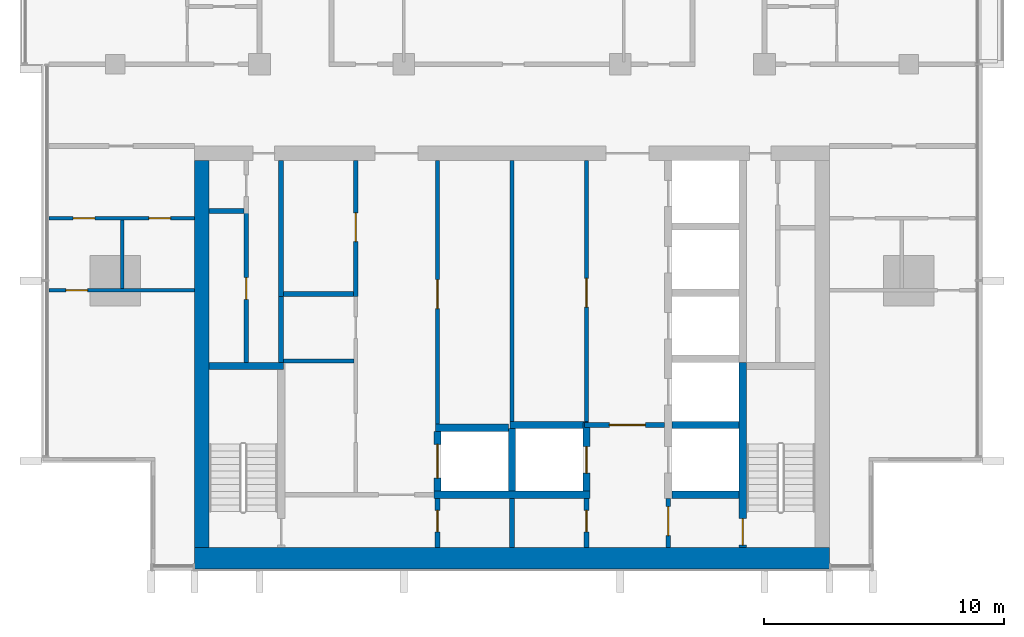
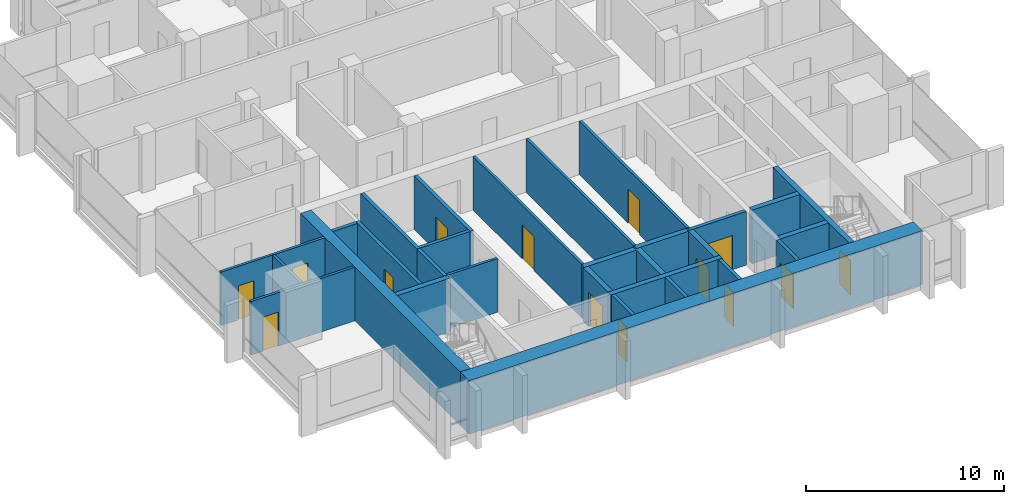
# One storey, part 7 of 15: 30 walls, 14 doors, 14 openings.
"""IFC4 building model written with IfcOpenShell, lengths in metres."""

from ifc_helpers import new_model, si_unit, direction, frame, frame_2d, origin, place, context, subcontext, project, spatial, rectangle, extrude, material, layer, layer_set, type_object, element, fill, save


model = new_model("IFC4")

# Units and contexts
model_context = context("Model", 3, precision=1e-05, world=origin(), true_north=direction((0.0, 1.0)))
body_context = subcontext(model_context, "Body", "Model", "MODEL_VIEW")
ifc_project = project(units=[si_unit("LENGTHUNIT", "METRE"), si_unit("AREAUNIT", "SQUARE_METRE"), si_unit("VOLUMEUNIT", "CUBIC_METRE"), si_unit("PLANEANGLEUNIT", "RADIAN"), si_unit("MASSUNIT", "GRAM", prefix="KILO")], contexts=[model_context])

# Site, building, storey
site_placement = place(None, origin())
site = spatial("IfcSite", under=ifc_project, at=site_placement, CompositionType="ELEMENT")
building_placement = place(site_placement, origin())
building = spatial("IfcBuilding", under=site, at=building_placement, Name="Finial Court Residences", CompositionType="ELEMENT")
storey_placement = place(building_placement, frame((0.0, 0.0, 226.699951171875)))
storey = spatial("IfcBuildingStorey", under=building, at=storey_placement, Name="L57", CompositionType="ELEMENT", Elevation=226.699951171875)

# Walls
ifc_material_1 = material(Name="Concrete C60/75", Category="concrete")
ifc_layer_1 = layer(ifc_material_1, 0.60009765625)
ifc_layer_set_1 = layer_set([ifc_layer_1], Name="Core outer wall 600 Concrete C60/75")
wall_type_1 = type_object("IfcWallType", Name="Core outer wall 600 Concrete C60/75", PredefinedType="SHEAR", material=ifc_layer_set_1)
wall_1_placement = place(storey_placement, frame((-12.89990234375, -24.60009765625, 0.0), z_axis=(0.0, 0.0, 1.0), x_axis=(0.0, 1.0, 0.0)))
element("IfcWall", 1, at=wall_1_placement, inside=storey, type_object=wall_type_1, Name="Core outer wall L57-03", PredefinedType="SHEAR", context=body_context, shape_type="SweptSolid", body=[
    extrude(rectangle(XDim=16.10009765625, YDim=0.60009765625, at=frame_2d((8.050048828125, 0.0))), origin(), (0.0, 0.0, 1.0), 3.300048828125),
])
ifc_material_2 = material(Name="Fire-rated gypsum board partition")
ifc_layer_2 = layer(ifc_material_2, 0.14990234375)
ifc_layer_set_2 = layer_set([ifc_layer_2], Name="Core room partition 150 EI 60")
wall_type_2 = type_object("IfcWallType", Name="Core room partition 150 EI 60", PredefinedType="PARTITIONING", material=ifc_layer_set_2)
wall_2_placement = place(storey_placement, frame((-9.5, -16.840087890625, 0.0), z_axis=(0.0, 0.0, 1.0), x_axis=(1.0, 0.0, 0.0)))
element("IfcWall", 2, at=wall_2_placement, inside=storey, type_object=wall_type_2, Name="Core partition L57-10", PredefinedType="PARTITIONING", context=body_context, shape_type="SweptSolid", body=[
    extrude(rectangle(XDim=2.925048828125, YDim=0.14990234375, at=frame_2d((1.46240234375, 0.0))), origin(), (0.0, 0.0, 1.0), 3.300048828125),
])

# Wall, opening, door
wall_3_placement = place(storey_placement, frame((-3.10009765625, -8.5, 0.0), z_axis=(0.0, 0.0, 1.0), x_axis=(0.0, -1.0, 0.0)))
wall_3 = element("IfcWall", 3, at=wall_3_placement, inside=storey, type_object=wall_type_2, Name="Core partition L57-26", PredefinedType="PARTITIONING", context=body_context, shape_type="SweptSolid", body=[
    extrude(rectangle(XDim=10.969970703125, YDim=0.14990234375, at=frame_2d((5.48486328125, 0.0))), origin(), (0.0, 0.0, 1.0), 3.300048828125),
])
opening_1_placement = place(wall_3_placement, frame((4.9599609375, 0.0, 0.0)))
opening_1 = element("IfcOpeningElement", 4, at=opening_1_placement, cuts=wall_3, Name="Opening L57-C17", PredefinedType="OPENING", context=body_context, shape_type="SweptSolid", body=[
    extrude(rectangle(XDim=1.199951171875, YDim=2.10009765625, at=frame_2d((0.60009765625, 1.050048828125))), frame((0.0, 0.0849609375, 0.0), z_axis=(0.0, -1.0, 0.0), x_axis=(1.0, 0.0, 0.0)), (0.0, 0.0, 1.0), 0.169921875),
])
ifc_material_3 = material(Name="Steel fire door", Category="steel")
door_type_1 = type_object("IfcDoorType", Name="Core room door 1200 x 2100 EI 60", OperationType="NOTDEFINED", PredefinedType="DOOR", material=ifc_material_3)
door_1_placement = place(opening_1_placement, origin())
door_1 = element("IfcDoor", 5, at=door_1_placement, inside=storey, type_object=door_type_1, Name="Core room door L57-C17", OperationType="SINGLE_SWING_RIGHT", OverallHeight=2.10009765625, OverallWidth=1.199951171875, PredefinedType="DOOR", context=body_context, shape_type="SweptSolid", body=[
    extrude(rectangle(XDim=1.199951171875, YDim=2.10009765625, at=frame_2d((0.60009765625, 1.050048828125))), frame((0.0, 0.02490234375, 0.0), z_axis=(0.0, -1.0, 0.0), x_axis=(1.0, 0.0, 0.0)), (0.0, 0.0, 1.0), 0.050048828125),
])
fill(opening_1, door_1)

# Wall
wall_4_placement = place(storey_placement, frame((0.0, -19.35009765625, 0.0), z_axis=(0.0, 0.0, 1.0), x_axis=(0.0, 1.0, 0.0)))
element("IfcWall", 6, at=wall_4_placement, inside=storey, type_object=wall_type_2, Name="Core partition L57-29", PredefinedType="PARTITIONING", context=body_context, shape_type="SweptSolid", body=[
    extrude(rectangle(XDim=10.85009765625, YDim=0.14990234375, at=frame_2d((5.425048828125, 0.0))), origin(), (0.0, 0.0, 1.0), 3.300048828125),
])

# Wall, opening, door
wall_5_placement = place(storey_placement, frame((3.10009765625, -19.39990234375, 0.0), z_axis=(0.0, 0.0, 1.0), x_axis=(0.0, 1.0, 0.0)))
wall_5 = element("IfcWall", 7, at=wall_5_placement, inside=storey, type_object=wall_type_2, Name="Core partition L57-32", PredefinedType="PARTITIONING", context=body_context, shape_type="SweptSolid", body=[
    extrude(rectangle(XDim=10.89990234375, YDim=0.14990234375, at=frame_2d((5.449951171875, 0.0))), origin(), (0.0, 0.0, 1.0), 3.300048828125),
])
opening_2_placement = place(wall_5_placement, frame((4.800048828125, 0.0, 0.0)))
opening_2 = element("IfcOpeningElement", 8, at=opening_2_placement, cuts=wall_5, Name="Opening L57-C18", PredefinedType="OPENING", context=body_context, shape_type="SweptSolid", body=[
    extrude(rectangle(XDim=1.199951171875, YDim=2.10009765625, at=frame_2d((0.60009765625, 1.050048828125))), frame((0.0, 0.0849609375, 0.0), z_axis=(0.0, -1.0, 0.0), x_axis=(1.0, 0.0, 0.0)), (0.0, 0.0, 1.0), 0.169921875),
])
door_2_placement = place(opening_2_placement, origin())
door_2 = element("IfcDoor", 9, at=door_2_placement, inside=storey, type_object=door_type_1, Name="Core room door L57-C18", OperationType="SINGLE_SWING_LEFT", OverallHeight=2.10009765625, OverallWidth=1.199951171875, PredefinedType="DOOR", context=body_context, shape_type="SweptSolid", body=[
    extrude(rectangle(XDim=1.199951171875, YDim=2.10009765625, at=frame_2d((0.60009765625, 1.050048828125))), frame((0.0, 0.02490234375, 0.0), z_axis=(0.0, -1.0, 0.0), x_axis=(1.0, 0.0, 0.0)), (0.0, 0.0, 1.0), 0.050048828125),
])
fill(opening_2, door_2)

# Wall
ifc_layer_3 = layer(ifc_material_1, 0.89990234375)
ifc_layer_set_3 = layer_set([ifc_layer_3], Name="Core south facade wall 900 Concrete C60/75")
wall_type_3 = type_object("IfcWallType", Name="Core south facade wall 900 Concrete C60/75", PredefinedType="SHEAR", material=ifc_layer_set_3)
wall_6_placement = place(storey_placement, frame((-13.199951171875, -25.050048828125, 0.0), z_axis=(0.0, 0.0, 1.0), x_axis=(1.0, 0.0, 0.0)))
element("IfcWall", 10, at=wall_6_placement, inside=storey, type_object=wall_type_3, Name="Core outer wall L57-01", PredefinedType="SHEAR", context=body_context, shape_type="SweptSolid", body=[
    extrude(rectangle(XDim=26.39990234375, YDim=0.89990234375, at=frame_2d((13.199951171875, 0.0))), origin(), (0.0, 0.0, 1.0), 3.300048828125),
])

# Wall, opening, door
ifc_layer_4 = layer(ifc_material_2, 0.199951171875)
ifc_layer_set_4 = layer_set([ifc_layer_4], Name="Firefighting lobby wall 200 EI 120")
wall_type_4 = type_object("IfcWallType", Name="Firefighting lobby wall 200 EI 120", PredefinedType="PARTITIONING", material=ifc_layer_set_4)
wall_7_placement = place(storey_placement, frame((6.35009765625, -19.5, 0.0), z_axis=(0.0, 0.0, 1.0), x_axis=(-1.0, 0.0, 0.0)))
wall_7 = element("IfcWall", 11, at=wall_7_placement, inside=storey, type_object=wall_type_4, Name="Core partition L57-06", PredefinedType="PARTITIONING", context=body_context, shape_type="SweptSolid", body=[
    extrude(rectangle(XDim=3.3251953125, YDim=0.199951171875, at=frame_2d((1.66259765625, 0.0))), origin(), (0.0, 0.0, 1.0), 3.300048828125),
])
opening_3_placement = place(wall_7_placement, frame((0.800048828125, 0.0, 0.0)))
opening_3 = element("IfcOpeningElement", 12, at=opening_3_placement, cuts=wall_7, Name="Opening L57-C02", PredefinedType="OPENING", context=body_context, shape_type="SweptSolid", body=[
    extrude(rectangle(XDim=1.5, YDim=2.10009765625, at=frame_2d((0.75, 1.050048828125))), frame((0.0, 0.10986328125, 0.0), z_axis=(0.0, -1.0, 0.0), x_axis=(1.0, 0.0, 0.0)), (0.0, 0.0, 1.0), 0.219970703125),
])
door_type_2 = type_object("IfcDoorType", Name="Firefighting lobby door 1500 x 2100 EI 90", OperationType="DOUBLE_DOOR_SINGLE_SWING", PredefinedType="DOOR", material=ifc_material_3)
door_3_placement = place(opening_3_placement, origin())
door_3 = element("IfcDoor", 13, at=door_3_placement, inside=storey, type_object=door_type_2, Name="Firefighting lobby door L57-C02", OperationType="DOUBLE_DOOR_SINGLE_SWING", OverallHeight=2.10009765625, OverallWidth=1.5, PredefinedType="DOOR", context=body_context, shape_type="SweptSolid", body=[
    extrude(rectangle(XDim=1.5, YDim=2.10009765625, at=frame_2d((0.75, 1.050048828125))), frame((0.0, 0.02490234375, 0.0), z_axis=(0.0, -1.0, 0.0), x_axis=(1.0, 0.0, 0.0)), (0.0, 0.0, 1.0), 0.050048828125),
])
fill(opening_3, door_3)

wall_8_placement = place(storey_placement, frame((3.10009765625, -24.60009765625, 0.0), z_axis=(0.0, 0.0, 1.0), x_axis=(0.0, 1.0, 0.0)))
wall_8 = element("IfcWall", 14, at=wall_8_placement, inside=storey, type_object=wall_type_4, Name="Core partition L57-30", PredefinedType="PARTITIONING", context=body_context, shape_type="SweptSolid", body=[
    extrude(rectangle(XDim=2.050048828125, YDim=0.199951171875, at=frame_2d((1.02490234375, 0.0))), origin(), (0.0, 0.0, 1.0), 3.300048828125),
])
opening_4_placement = place(wall_8_placement, frame((0.64990234375, 0.0, 0.0)))
opening_4 = element("IfcOpeningElement", 15, at=opening_4_placement, cuts=wall_8, Name="Opening L57-C06", PredefinedType="OPENING", context=body_context, shape_type="SweptSolid", body=[
    extrude(rectangle(XDim=0.89990234375, YDim=2.10009765625, at=frame_2d((0.449951171875, 1.050048828125))), frame((0.0, 0.10986328125, 0.0), z_axis=(0.0, -1.0, 0.0), x_axis=(1.0, 0.0, 0.0)), (0.0, 0.0, 1.0), 0.219970703125),
])
door_type_3 = type_object("IfcDoorType", Name="Riser room door 900 x 2100 EI 90", OperationType="NOTDEFINED", PredefinedType="DOOR", material=ifc_material_3)
door_4_placement = place(opening_4_placement, origin())
door_4 = element("IfcDoor", 16, at=door_4_placement, inside=storey, type_object=door_type_3, Name="Riser room door L57-C06", OperationType="SINGLE_SWING_LEFT", OverallHeight=2.10009765625, OverallWidth=0.89990234375, PredefinedType="DOOR", context=body_context, shape_type="SweptSolid", body=[
    extrude(rectangle(XDim=0.89990234375, YDim=2.10009765625, at=frame_2d((0.449951171875, 1.050048828125))), frame((0.0, 0.02490234375, 0.0), z_axis=(0.0, -1.0, 0.0), x_axis=(1.0, 0.0, 0.0)), (0.0, 0.0, 1.0), 0.050048828125),
])
fill(opening_4, door_4)

wall_9_placement = place(storey_placement, frame((6.5, -22.550048828125, 0.0), z_axis=(0.0, 0.0, 1.0), x_axis=(0.0, -1.0, 0.0)))
wall_9 = element("IfcWall", 17, at=wall_9_placement, inside=storey, type_object=wall_type_4, Name="Core partition L57-33", PredefinedType="PARTITIONING", context=body_context, shape_type="SweptSolid", body=[
    extrude(rectangle(XDim=2.050048828125, YDim=0.199951171875, at=frame_2d((1.02490234375, 0.0))), origin(), (0.0, 0.0, 1.0), 3.300048828125),
])
opening_5_placement = place(wall_9_placement, frame((0.35009765625, 0.0, 0.0)))
opening_5 = element("IfcOpeningElement", 18, at=opening_5_placement, cuts=wall_9, Name="Opening L57-C01", PredefinedType="OPENING", context=body_context, shape_type="SweptSolid", body=[
    extrude(rectangle(XDim=1.199951171875, YDim=2.10009765625, at=frame_2d((0.60009765625, 1.050048828125))), frame((0.0, 0.10986328125, 0.0), z_axis=(0.0, -1.0, 0.0), x_axis=(1.0, 0.0, 0.0)), (0.0, 0.0, 1.0), 0.219970703125),
])
door_type_4 = type_object("IfcDoorType", Name="Firefighting lobby door 1200 x 2100 EI 90", OperationType="NOTDEFINED", PredefinedType="DOOR", material=ifc_material_3)
door_5_placement = place(opening_5_placement, origin())
door_5 = element("IfcDoor", 19, at=door_5_placement, inside=storey, type_object=door_type_4, Name="Firefighting lobby door L57-C01", OperationType="SINGLE_SWING_RIGHT", OverallHeight=2.10009765625, OverallWidth=1.199951171875, PredefinedType="DOOR", context=body_context, shape_type="SweptSolid", body=[
    extrude(rectangle(XDim=1.199951171875, YDim=2.10009765625, at=frame_2d((0.60009765625, 1.050048828125))), frame((0.0, 0.02490234375, 0.0), z_axis=(0.0, -1.0, 0.0), x_axis=(1.0, 0.0, 0.0)), (0.0, 0.0, 1.0), 0.050048828125),
])
fill(opening_5, door_5)

ifc_material_4 = material(Name="Moisture-resistant gypsum board")
ifc_layer_5 = layer(ifc_material_4, 0.012451171875)
ifc_material_5 = material(Name="Mineral wool in light-gauge frame")
ifc_layer_6 = layer(ifc_material_5, 0.125)
ifc_layer_7 = layer(ifc_material_4, 0.012451171875)
ifc_layer_set_5 = layer_set([ifc_layer_5, ifc_layer_6, ifc_layer_7], Name="Gypsum board wet-area partition 150")
wall_type_5 = type_object("IfcWallType", Name="Gypsum board wet-area partition 150", PredefinedType="PARTITIONING", material=ifc_layer_set_5)
wall_10_placement = place(storey_placement, frame((-19.262451171875, -13.89990234375, 0.0), z_axis=(0.0, 0.0, 1.0), x_axis=(1.0, 0.0, 0.0)))
wall_10 = element("IfcWall", 20, at=wall_10_placement, inside=storey, type_object=wall_type_5, Name="Partition L57-000", PredefinedType="PARTITIONING", context=body_context, shape_type="SweptSolid", body=[
    extrude(rectangle(XDim=6.0625, YDim=0.14990234375, at=frame_2d((3.03125, 0.0))), origin(), (0.0, 0.0, 1.0), 3.300048828125),
])
opening_6_placement = place(wall_10_placement, frame((0.7119140625, 0.0, 0.0)))
opening_6 = element("IfcOpeningElement", 21, at=opening_6_placement, cuts=wall_10, Name="Opening L57-D001", PredefinedType="OPENING", context=body_context, shape_type="SweptSolid", body=[
    extrude(rectangle(XDim=0.89990234375, YDim=2.10009765625, at=frame_2d((0.449951171875, 1.050048828125))), frame((0.0, 0.0849609375, 0.0), z_axis=(0.0, -1.0, 0.0), x_axis=(1.0, 0.0, 0.0)), (0.0, 0.0, 1.0), 0.169921875),
])
ifc_material_6 = material(Name="Timber door leaf in timber frame", Category="wood")
door_type_5 = type_object("IfcDoorType", Name="Door set 900 x 2100", OperationType="SINGLE_SWING_LEFT", PredefinedType="DOOR", material=ifc_material_6)
door_6_placement = place(opening_6_placement, origin())
door_6 = element("IfcDoor", 22, at=door_6_placement, inside=storey, type_object=door_type_5, Name="Door L57-D001", OperationType="SINGLE_SWING_LEFT", OverallHeight=2.10009765625, OverallWidth=0.89990234375, PredefinedType="DOOR", context=body_context, shape_type="SweptSolid", body=[
    extrude(rectangle(XDim=0.89990234375, YDim=2.10009765625, at=frame_2d((0.449951171875, 1.050048828125))), frame((0.0, 0.02490234375, 0.0), z_axis=(0.0, -1.0, 0.0), x_axis=(1.0, 0.0, 0.0)), (0.0, 0.0, 1.0), 0.050048828125),
])
fill(opening_6, door_6)

# Wall, openings, doors
wall_11_placement = place(storey_placement, frame((-19.262451171875, -10.89990234375, 0.0), z_axis=(0.0, 0.0, 1.0), x_axis=(1.0, 0.0, 0.0)))
wall_11 = element("IfcWall", 23, at=wall_11_placement, inside=storey, type_object=wall_type_5, Name="Partition L57-002", PredefinedType="PARTITIONING", context=body_context, shape_type="SweptSolid", body=[
    extrude(rectangle(XDim=6.0625, YDim=0.14990234375, at=frame_2d((3.03125, 0.0))), origin(), (0.0, 0.0, 1.0), 3.300048828125),
])
opening_7_placement = place(wall_11_placement, frame((1.011962890625, 0.0, 0.0)))
opening_7 = element("IfcOpeningElement", 24, at=opening_7_placement, cuts=wall_11, Name="Opening L57-D003", PredefinedType="OPENING", context=body_context, shape_type="SweptSolid", body=[
    extrude(rectangle(XDim=0.89990234375, YDim=2.10009765625, at=frame_2d((0.449951171875, 1.050048828125))), frame((0.0, 0.0849609375, 0.0), z_axis=(0.0, -1.0, 0.0), x_axis=(1.0, 0.0, 0.0)), (0.0, 0.0, 1.0), 0.169921875),
])
opening_8_placement = place(wall_11_placement, frame((4.162109375, 0.0, 0.0)))
opening_8 = element("IfcOpeningElement", 25, at=opening_8_placement, cuts=wall_11, Name="Opening L57-D004", PredefinedType="OPENING", context=body_context, shape_type="SweptSolid", body=[
    extrude(rectangle(XDim=0.89990234375, YDim=2.10009765625, at=frame_2d((0.449951171875, 1.050048828125))), frame((0.0, 0.0849609375, 0.0), z_axis=(0.0, -1.0, 0.0), x_axis=(1.0, 0.0, 0.0)), (0.0, 0.0, 1.0), 0.169921875),
])
door_7_placement = place(opening_7_placement, origin())
door_7 = element("IfcDoor", 26, at=door_7_placement, inside=storey, type_object=door_type_5, Name="Door L57-D003", OperationType="SINGLE_SWING_LEFT", OverallHeight=2.10009765625, OverallWidth=0.89990234375, PredefinedType="DOOR", context=body_context, shape_type="SweptSolid", body=[
    extrude(rectangle(XDim=0.89990234375, YDim=2.10009765625, at=frame_2d((0.449951171875, 1.050048828125))), frame((0.0, 0.02490234375, 0.0), z_axis=(0.0, -1.0, 0.0), x_axis=(1.0, 0.0, 0.0)), (0.0, 0.0, 1.0), 0.050048828125),
])
fill(opening_7, door_7)
door_8_placement = place(opening_8_placement, origin())
door_8 = element("IfcDoor", 27, at=door_8_placement, inside=storey, type_object=door_type_5, Name="Door L57-D004", OperationType="SINGLE_SWING_RIGHT", OverallHeight=2.10009765625, OverallWidth=0.89990234375, PredefinedType="DOOR", context=body_context, shape_type="SweptSolid", body=[
    extrude(rectangle(XDim=0.89990234375, YDim=2.10009765625, at=frame_2d((0.449951171875, 1.050048828125))), frame((0.0, 0.02490234375, 0.0), z_axis=(0.0, -1.0, 0.0), x_axis=(1.0, 0.0, 0.0)), (0.0, 0.0, 1.0), 0.050048828125),
])
fill(opening_8, door_8)

# Walls
wall_12_placement = place(storey_placement, frame((-16.199951171875, -13.824951171875, 0.0), z_axis=(0.0, 0.0, 1.0), x_axis=(0.0, 1.0, 0.0)))
element("IfcWall", 28, at=wall_12_placement, inside=storey, type_object=wall_type_5, Name="Partition L57-023", PredefinedType="PARTITIONING", context=body_context, shape_type="SweptSolid", body=[
    extrude(rectangle(XDim=2.849853515625, YDim=0.14990234375, at=frame_2d((1.4248046875, 0.0))), origin(), (0.0, 0.0, 1.0), 3.300048828125),
])
ifc_layer_8 = layer(ifc_material_1, 0.300048828125)
ifc_layer_set_6 = layer_set([ifc_layer_8], Name="Lift shaft and stair wall 300 Concrete C60/75")
wall_type_6 = type_object("IfcWallType", Name="Lift shaft and stair wall 300 Concrete C60/75", PredefinedType="SHEAR", material=ifc_layer_set_6)
wall_13_placement = place(storey_placement, frame((-3.25, -22.39990234375, 0.0), z_axis=(0.0, 0.0, 1.0), x_axis=(1.0, 0.0, 0.0)))
element("IfcWall", 29, at=wall_13_placement, inside=storey, type_object=wall_type_6, Name="Core wall L57-02", PredefinedType="SHEAR", context=body_context, shape_type="SweptSolid", body=[
    extrude(rectangle(XDim=6.5, YDim=0.300048828125, at=frame_2d((3.25, 0.0))), origin(), (0.0, 0.0, 1.0), 3.300048828125),
])
wall_14_placement = place(storey_placement, frame((6.64990234375, -22.39990234375, 0.0), z_axis=(0.0, 0.0, 1.0), x_axis=(1.0, 0.0, 0.0)))
element("IfcWall", 30, at=wall_14_placement, inside=storey, type_object=wall_type_6, Name="Core wall L57-03", PredefinedType="SHEAR", context=body_context, shape_type="SweptSolid", body=[
    extrude(rectangle(XDim=2.800048828125, YDim=0.300048828125, at=frame_2d((1.39990234375, 0.0))), origin(), (0.0, 0.0, 1.0), 3.300048828125),
])
wall_15_placement = place(storey_placement, frame((-3.175048828125, -19.6201171875, 0.0), z_axis=(0.0, 0.0, 1.0), x_axis=(1.0, 0.0, 0.0)))
element("IfcWall", 31, at=wall_15_placement, inside=storey, type_object=wall_type_6, Name="Core wall L57-04", PredefinedType="SHEAR", context=body_context, shape_type="SweptSolid", body=[
    extrude(rectangle(XDim=3.025146484375, YDim=0.300048828125, at=frame_2d((1.5126953125, 0.0))), origin(), (0.0, 0.0, 1.0), 3.300048828125),
])
wall_16_placement = place(storey_placement, frame((-0.074951171875, -19.5, 0.0), z_axis=(0.0, 0.0, 1.0), x_axis=(1.0, 0.0, 0.0)))
element("IfcWall", 32, at=wall_16_placement, inside=storey, type_object=wall_type_6, Name="Core wall L57-05", PredefinedType="SHEAR", context=body_context, shape_type="SweptSolid", body=[
    extrude(rectangle(XDim=3.25, YDim=0.300048828125, at=frame_2d((1.625, 0.0))), origin(), (0.0, 0.0, 1.0), 3.300048828125),
])
wall_17_placement = place(storey_placement, frame((6.64990234375, -19.5, 0.0), z_axis=(0.0, 0.0, 1.0), x_axis=(1.0, 0.0, 0.0)))
element("IfcWall", 33, at=wall_17_placement, inside=storey, type_object=wall_type_6, Name="Core wall L57-07", PredefinedType="SHEAR", context=body_context, shape_type="SweptSolid", body=[
    extrude(rectangle(XDim=2.800048828125, YDim=0.300048828125, at=frame_2d((1.39990234375, 0.0))), origin(), (0.0, 0.0, 1.0), 3.300048828125),
])
wall_18_placement = place(storey_placement, frame((-12.60009765625, -17.050048828125, 0.0), z_axis=(0.0, 0.0, 1.0), x_axis=(1.0, 0.0, 0.0)))
element("IfcWall", 34, at=wall_18_placement, inside=storey, type_object=wall_type_6, Name="Core wall L57-08", PredefinedType="SHEAR", context=body_context, shape_type="SweptSolid", body=[
    extrude(rectangle(XDim=3.10009765625, YDim=0.300048828125, at=frame_2d((1.550048828125, 0.0))), origin(), (0.0, 0.0, 1.0), 3.300048828125),
])

# Wall, opening, door
wall_19_placement = place(storey_placement, frame((-3.10009765625, -22.25, 0.0), z_axis=(0.0, 0.0, 1.0), x_axis=(0.0, 1.0, 0.0)))
wall_19 = element("IfcWall", 35, at=wall_19_placement, inside=storey, type_object=wall_type_6, Name="Core wall L57-25", PredefinedType="SHEAR", context=body_context, shape_type="SweptSolid", body=[
    extrude(rectangle(XDim=2.47998046875, YDim=0.300048828125, at=frame_2d((1.239990234375, 0.0))), origin(), (0.0, 0.0, 1.0), 3.300048828125),
])
opening_9_placement = place(wall_19_placement, frame((0.5400390625, 0.0, 0.0)))
opening_9 = element("IfcOpeningElement", 36, at=opening_9_placement, cuts=wall_19, Name="Opening L57-LD07", PredefinedType="OPENING", context=body_context, shape_type="SweptSolid", body=[
    extrude(rectangle(XDim=1.39990234375, YDim=2.10009765625, at=frame_2d((0.699951171875, 1.050048828125))), frame((0.0, 0.159912109375, 0.0), z_axis=(0.0, -1.0, 0.0), x_axis=(1.0, 0.0, 0.0)), (0.0, 0.0, 1.0), 0.320068359375),
])
ifc_material_7 = material(Name="Stainless steel lift door", Category="steel")
door_type_6 = type_object("IfcDoorType", Name="Lift landing door 1400 x 2100 EI 90", OperationType="DOUBLE_DOOR_SLIDING", PredefinedType="DOOR", material=ifc_material_7)
door_9_placement = place(opening_9_placement, origin())
door_9 = element("IfcDoor", 37, at=door_9_placement, inside=storey, type_object=door_type_6, Name="Lift landing door SV1 L57", OperationType="DOUBLE_DOOR_SLIDING", OverallHeight=2.10009765625, OverallWidth=1.39990234375, PredefinedType="DOOR", context=body_context, shape_type="SweptSolid", body=[
    extrude(rectangle(XDim=1.39990234375, YDim=2.10009765625, at=frame_2d((0.699951171875, 1.050048828125))), frame((0.0, 0.02490234375, 0.0), z_axis=(0.0, -1.0, 0.0), x_axis=(1.0, 0.0, 0.0)), (0.0, 0.0, 1.0), 0.050048828125),
])
fill(opening_9, door_9)

# Wall
wall_20_placement = place(storey_placement, frame((0.0, -22.25, 0.0), z_axis=(0.0, 0.0, 1.0), x_axis=(0.0, 1.0, 0.0)))
element("IfcWall", 38, at=wall_20_placement, inside=storey, type_object=wall_type_6, Name="Core wall L57-28", PredefinedType="SHEAR", context=body_context, shape_type="SweptSolid", body=[
    extrude(rectangle(XDim=2.60009765625, YDim=0.300048828125, at=frame_2d((1.300048828125, 0.0))), origin(), (0.0, 0.0, 1.0), 3.300048828125),
])

# Wall, opening, door
wall_21_placement = place(storey_placement, frame((3.10009765625, -22.25, 0.0), z_axis=(0.0, 0.0, 1.0), x_axis=(0.0, 1.0, 0.0)))
wall_21 = element("IfcWall", 39, at=wall_21_placement, inside=storey, type_object=wall_type_6, Name="Core wall L57-31", PredefinedType="SHEAR", context=body_context, shape_type="SweptSolid", body=[
    extrude(rectangle(XDim=2.85009765625, YDim=0.300048828125, at=frame_2d((1.425048828125, 0.0))), origin(), (0.0, 0.0, 1.0), 3.300048828125),
])
opening_10_placement = place(wall_21_placement, frame((0.75, 0.0, 0.0)))
opening_10 = element("IfcOpeningElement", 40, at=opening_10_placement, cuts=wall_21, Name="Opening L57-LD01", PredefinedType="OPENING", context=body_context, shape_type="SweptSolid", body=[
    extrude(rectangle(XDim=1.10009765625, YDim=2.10009765625, at=frame_2d((0.550048828125, 1.050048828125))), frame((0.0, 0.159912109375, 0.0), z_axis=(0.0, -1.0, 0.0), x_axis=(1.0, 0.0, 0.0)), (0.0, 0.0, 1.0), 0.320068359375),
])
door_type_7 = type_object("IfcDoorType", Name="Lift landing door 1100 x 2100 EI 90", OperationType="DOUBLE_DOOR_SLIDING", PredefinedType="DOOR", material=ifc_material_7)
door_10_placement = place(opening_10_placement, origin())
door_10 = element("IfcDoor", 41, at=door_10_placement, inside=storey, type_object=door_type_7, Name="Lift landing door FF1 L57", OperationType="DOUBLE_DOOR_SLIDING", OverallHeight=2.10009765625, OverallWidth=1.10009765625, PredefinedType="DOOR", context=body_context, shape_type="SweptSolid", body=[
    extrude(rectangle(XDim=1.10009765625, YDim=2.10009765625, at=frame_2d((0.550048828125, 1.050048828125))), frame((0.0, 0.02490234375, 0.0), z_axis=(0.0, -1.0, 0.0), x_axis=(1.0, 0.0, 0.0)), (0.0, 0.0, 1.0), 0.050048828125),
])
fill(opening_10, door_10)

wall_22_placement = place(storey_placement, frame((9.60009765625, -16.89990234375, 0.0), z_axis=(0.0, 0.0, 1.0), x_axis=(0.0, -1.0, 0.0)))
wall_22 = element("IfcWall", 42, at=wall_22_placement, inside=storey, type_object=wall_type_6, Name="Core wall L57-35", PredefinedType="SHEAR", context=body_context, shape_type="SweptSolid", body=[
    extrude(rectangle(XDim=7.7001953125, YDim=0.300048828125, at=frame_2d((3.85009765625, 0.0))), origin(), (0.0, 0.0, 1.0), 3.300048828125),
])
opening_11_placement = place(wall_22_placement, frame((6.5, 0.0, 0.0)))
opening_11 = element("IfcOpeningElement", 43, at=opening_11_placement, cuts=wall_22, Name="Opening L57-C20", PredefinedType="OPENING", context=body_context, shape_type="SweptSolid", body=[
    extrude(rectangle(XDim=1.10009765625, YDim=2.10009765625, at=frame_2d((0.550048828125, 1.050048828125))), frame((0.0, 0.159912109375, 0.0), z_axis=(0.0, -1.0, 0.0), x_axis=(1.0, 0.0, 0.0)), (0.0, 0.0, 1.0), 0.320068359375),
])
door_type_8 = type_object("IfcDoorType", Name="Stair door 1100 x 2100 EI 90", OperationType="NOTDEFINED", PredefinedType="DOOR", material=ifc_material_3)
door_11_placement = place(opening_11_placement, origin())
door_11 = element("IfcDoor", 44, at=door_11_placement, inside=storey, type_object=door_type_8, Name="Stair door L57-C20", OperationType="SINGLE_SWING_RIGHT", OverallHeight=2.10009765625, OverallWidth=1.10009765625, PredefinedType="DOOR", context=body_context, shape_type="SweptSolid", body=[
    extrude(rectangle(XDim=1.10009765625, YDim=2.10009765625, at=frame_2d((0.550048828125, 1.050048828125))), frame((0.0, 0.02490234375, 0.0), z_axis=(0.0, -1.0, 0.0), x_axis=(1.0, 0.0, 0.0)), (0.0, 0.0, 1.0), 0.050048828125),
])
fill(opening_11, door_11)

# Walls
ifc_layer_9 = layer(ifc_material_2, 0.199951171875)
ifc_layer_set_7 = layer_set([ifc_layer_9], Name="Riser room wall 200 EI 120")
wall_type_7 = type_object("IfcWallType", Name="Riser room wall 200 EI 120", PredefinedType="PARTITIONING", material=ifc_layer_set_7)
wall_23_placement = place(storey_placement, frame((-9.5, -14.06005859375, 0.0), z_axis=(0.0, 0.0, 1.0), x_axis=(1.0, 0.0, 0.0)))
element("IfcWall", 45, at=wall_23_placement, inside=storey, type_object=wall_type_7, Name="Core partition L57-12", PredefinedType="PARTITIONING", context=body_context, shape_type="SweptSolid", body=[
    extrude(rectangle(XDim=2.89990234375, YDim=0.199951171875, at=frame_2d((1.449951171875, 0.0))), origin(), (0.0, 0.0, 1.0), 3.300048828125),
])
wall_24_placement = place(storey_placement, frame((-12.60009765625, -10.60009765625, 0.0), z_axis=(0.0, 0.0, 1.0), x_axis=(1.0, 0.0, 0.0)))
element("IfcWall", 46, at=wall_24_placement, inside=storey, type_object=wall_type_7, Name="Core partition L57-16", PredefinedType="PARTITIONING", context=body_context, shape_type="SweptSolid", body=[
    extrude(rectangle(XDim=1.4501953125, YDim=0.199951171875, at=frame_2d((0.72509765625, 0.0))), origin(), (0.0, 0.0, 1.0), 3.300048828125),
])
wall_25_placement = place(storey_placement, frame((-9.60009765625, -14.159912109375, 0.0), z_axis=(0.0, 0.0, 1.0), x_axis=(0.0, 1.0, 0.0)))
element("IfcWall", 47, at=wall_25_placement, inside=storey, type_object=wall_type_7, Name="Core partition L57-21", PredefinedType="PARTITIONING", context=body_context, shape_type="SweptSolid", body=[
    extrude(rectangle(XDim=5.659912109375, YDim=0.199951171875, at=frame_2d((2.830078125, 0.0))), origin(), (0.0, 0.0, 1.0), 3.300048828125),
])

# Wall, opening, door
wall_26_placement = place(storey_placement, frame((-6.5, -14.159912109375, 0.0), z_axis=(0.0, 0.0, 1.0), x_axis=(0.0, 1.0, 0.0)))
wall_26 = element("IfcWall", 48, at=wall_26_placement, inside=storey, type_object=wall_type_7, Name="Core partition L57-23", PredefinedType="PARTITIONING", context=body_context, shape_type="SweptSolid", body=[
    extrude(rectangle(XDim=5.659912109375, YDim=0.199951171875, at=frame_2d((2.830078125, 0.0))), origin(), (0.0, 0.0, 1.0), 3.300048828125),
])
opening_12_placement = place(wall_26_placement, frame((2.280029296875, 0.0, 0.0)))
opening_12 = element("IfcOpeningElement", 49, at=opening_12_placement, cuts=wall_26, Name="Opening L57-C09", PredefinedType="OPENING", context=body_context, shape_type="SweptSolid", body=[
    extrude(rectangle(XDim=1.199951171875, YDim=2.10009765625, at=frame_2d((0.60009765625, 1.050048828125))), frame((0.0, 0.10986328125, 0.0), z_axis=(0.0, -1.0, 0.0), x_axis=(1.0, 0.0, 0.0)), (0.0, 0.0, 1.0), 0.219970703125),
])
door_type_9 = type_object("IfcDoorType", Name="Riser room door 1200 x 2100 EI 90", OperationType="NOTDEFINED", PredefinedType="DOOR", material=ifc_material_3)
door_12_placement = place(opening_12_placement, origin())
door_12 = element("IfcDoor", 50, at=door_12_placement, inside=storey, type_object=door_type_9, Name="Riser room door L57-C09", OperationType="SINGLE_SWING_RIGHT", OverallHeight=2.10009765625, OverallWidth=1.199951171875, PredefinedType="DOOR", context=body_context, shape_type="SweptSolid", body=[
    extrude(rectangle(XDim=1.199951171875, YDim=2.10009765625, at=frame_2d((0.60009765625, 1.050048828125))), frame((0.0, 0.02490234375, 0.0), z_axis=(0.0, -1.0, 0.0), x_axis=(1.0, 0.0, 0.0)), (0.0, 0.0, 1.0), 0.050048828125),
])
fill(opening_12, door_12)

# Wall
wall_27_placement = place(storey_placement, frame((0.0, -24.60009765625, 0.0), z_axis=(0.0, 0.0, 1.0), x_axis=(0.0, 1.0, 0.0)))
element("IfcWall", 51, at=wall_27_placement, inside=storey, type_object=wall_type_7, Name="Core partition L57-27", PredefinedType="PARTITIONING", context=body_context, shape_type="SweptSolid", body=[
    extrude(rectangle(XDim=2.050048828125, YDim=0.199951171875, at=frame_2d((1.02490234375, 0.0))), origin(), (0.0, 0.0, 1.0), 3.300048828125),
])

# Wall, opening, door
ifc_layer_10 = layer(ifc_material_2, 0.199951171875)
ifc_layer_set_8 = layer_set([ifc_layer_10], Name="Stair passage wall 200 EI 180")
wall_type_8 = type_object("IfcWallType", Name="Stair passage wall 200 EI 180", PredefinedType="PARTITIONING", material=ifc_layer_set_8)
wall_28_placement = place(storey_placement, frame((-11.050048828125, -16.89990234375, 0.0), z_axis=(0.0, 0.0, 1.0), x_axis=(0.0, 1.0, 0.0)))
wall_28 = element("IfcWall", 52, at=wall_28_placement, inside=storey, type_object=wall_type_8, Name="Core partition L57-17", PredefinedType="PARTITIONING", context=body_context, shape_type="SweptSolid", body=[
    extrude(rectangle(XDim=6.39990234375, YDim=0.199951171875, at=frame_2d((3.199951171875, 0.0))), origin(), (0.0, 0.0, 1.0), 3.300048828125),
])
opening_13_placement = place(wall_28_placement, frame((2.625, 0.0, 0.0)))
opening_13 = element("IfcOpeningElement", 53, at=opening_13_placement, cuts=wall_28, Name="Opening L57-C13", PredefinedType="OPENING", context=body_context, shape_type="SweptSolid", body=[
    extrude(rectangle(XDim=0.89990234375, YDim=2.10009765625, at=frame_2d((0.449951171875, 1.050048828125))), frame((0.0, 0.10986328125, 0.0), z_axis=(0.0, -1.0, 0.0), x_axis=(1.0, 0.0, 0.0)), (0.0, 0.0, 1.0), 0.219970703125),
])
door_type_10 = type_object("IfcDoorType", Name="Core room door 900 x 2100 EI 60", OperationType="NOTDEFINED", PredefinedType="DOOR", material=ifc_material_3)
door_13_placement = place(opening_13_placement, origin())
door_13 = element("IfcDoor", 54, at=door_13_placement, inside=storey, type_object=door_type_10, Name="Core room door L57-C13", OperationType="SINGLE_SWING_RIGHT", OverallHeight=2.10009765625, OverallWidth=0.89990234375, PredefinedType="DOOR", context=body_context, shape_type="SweptSolid", body=[
    extrude(rectangle(XDim=0.89990234375, YDim=2.10009765625, at=frame_2d((0.449951171875, 1.050048828125))), frame((0.0, 0.02490234375, 0.0), z_axis=(0.0, -1.0, 0.0), x_axis=(1.0, 0.0, 0.0)), (0.0, 0.0, 1.0), 0.050048828125),
])
fill(opening_13, door_13)

# Wall
wall_29_placement = place(storey_placement, frame((-9.60009765625, -16.89990234375, 0.0), z_axis=(0.0, 0.0, 1.0), x_axis=(0.0, 1.0, 0.0)))
element("IfcWall", 55, at=wall_29_placement, inside=storey, type_object=wall_type_8, Name="Core partition L57-20", PredefinedType="PARTITIONING", context=body_context, shape_type="SweptSolid", body=[
    extrude(rectangle(XDim=2.739990234375, YDim=0.199951171875, at=frame_2d((1.3701171875, 0.0))), origin(), (0.0, 0.0, 1.0), 3.300048828125),
])

# Wall, opening, door
wall_30_placement = place(storey_placement, frame((-3.10009765625, -22.550048828125, 0.0), z_axis=(0.0, 0.0, 1.0), x_axis=(0.0, -1.0, 0.0)))
wall_30 = element("IfcWall", 56, at=wall_30_placement, inside=storey, type_object=wall_type_8, Name="Core partition L57-24", PredefinedType="PARTITIONING", context=body_context, shape_type="SweptSolid", body=[
    extrude(rectangle(XDim=2.050048828125, YDim=0.199951171875, at=frame_2d((1.02490234375, 0.0))), origin(), (0.0, 0.0, 1.0), 3.300048828125),
])
opening_14_placement = place(wall_30_placement, frame((0.5, 0.0, 0.0)))
opening_14 = element("IfcOpeningElement", 57, at=opening_14_placement, cuts=wall_30, Name="Opening L57-C12", PredefinedType="OPENING", context=body_context, shape_type="SweptSolid", body=[
    extrude(rectangle(XDim=0.89990234375, YDim=2.10009765625, at=frame_2d((0.449951171875, 1.050048828125))), frame((0.0, 0.10986328125, 0.0), z_axis=(0.0, -1.0, 0.0), x_axis=(1.0, 0.0, 0.0)), (0.0, 0.0, 1.0), 0.219970703125),
])
door_14_placement = place(opening_14_placement, origin())
door_14 = element("IfcDoor", 58, at=door_14_placement, inside=storey, type_object=door_type_10, Name="Core room door L57-C12", OperationType="SINGLE_SWING_RIGHT", OverallHeight=2.10009765625, OverallWidth=0.89990234375, PredefinedType="DOOR", context=body_context, shape_type="SweptSolid", body=[
    extrude(rectangle(XDim=0.89990234375, YDim=2.10009765625, at=frame_2d((0.449951171875, 1.050048828125))), frame((0.0, 0.02490234375, 0.0), z_axis=(0.0, -1.0, 0.0), x_axis=(1.0, 0.0, 0.0)), (0.0, 0.0, 1.0), 0.050048828125),
])
fill(opening_14, door_14)

save(model, "model.ifc")
